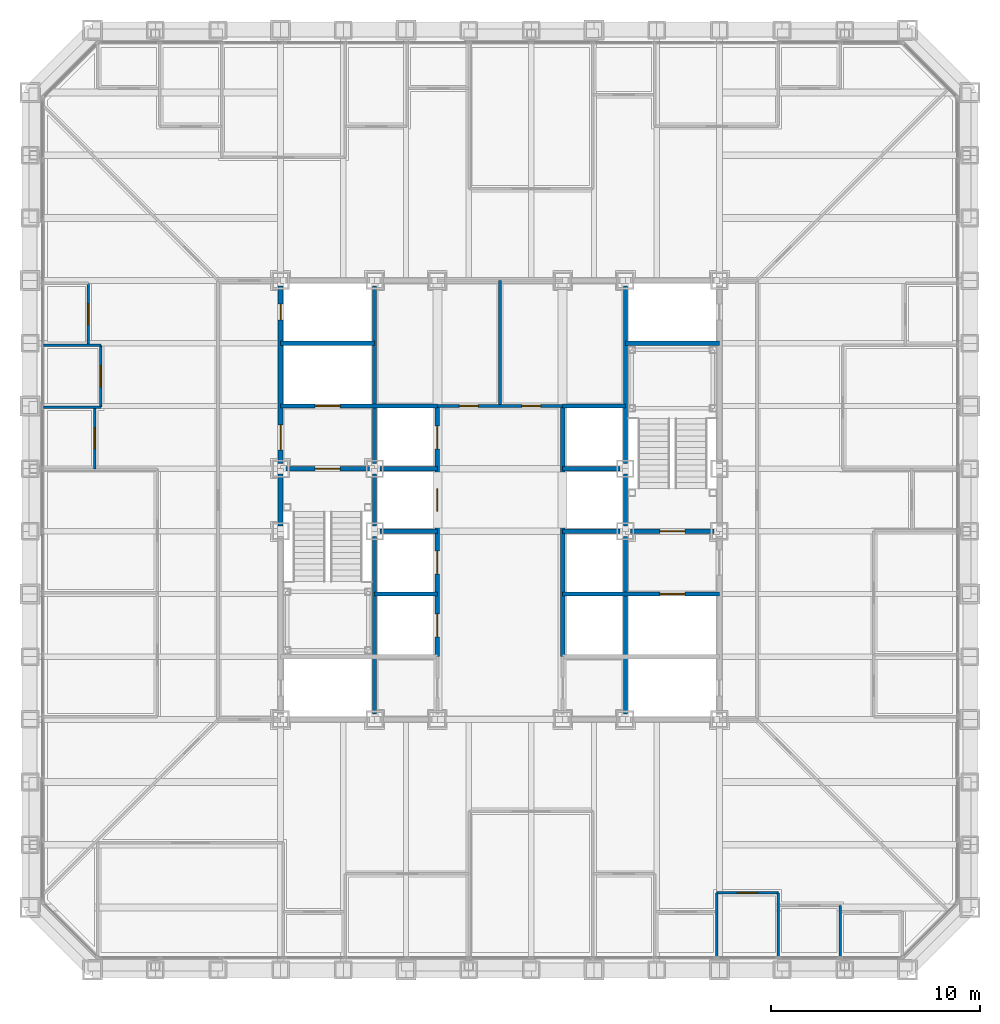
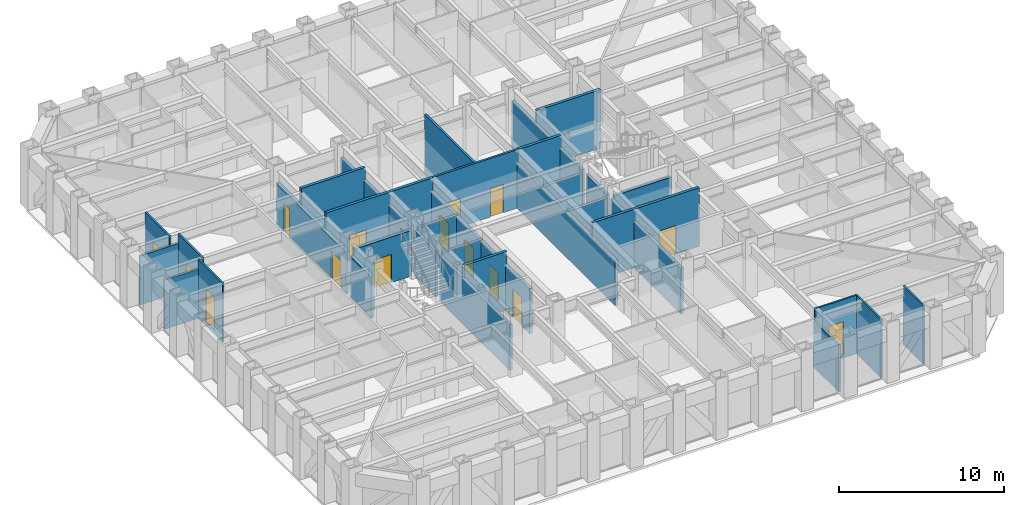
# One storey, part 9 of 17: 33 walls, 16 doors, 16 openings.
"""IFC4 building model written with IfcOpenShell, lengths in metres."""

from ifc_helpers import new_model, si_unit, direction, frame, frame_2d, origin, place, context, subcontext, project, spatial, rectangle, extrude, material, layer, layer_set, type_object, element, fill, save


model = new_model("IFC4")

# Units and contexts
model_context = context("Model", 3, precision=1e-05, world=origin(), true_north=direction((0.0, 1.0)))
body_context = subcontext(model_context, "Body", "Model", "MODEL_VIEW")
ifc_project = project(units=[si_unit("LENGTHUNIT", "METRE"), si_unit("AREAUNIT", "SQUARE_METRE"), si_unit("VOLUMEUNIT", "CUBIC_METRE"), si_unit("PLANEANGLEUNIT", "RADIAN"), si_unit("MASSUNIT", "GRAM", prefix="KILO")], contexts=[model_context])

# Site, building, storey
site_placement = place(None, origin())
site = spatial("IfcSite", under=ifc_project, at=site_placement, CompositionType="ELEMENT")
building_placement = place(site_placement, origin())
building = spatial("IfcBuilding", under=site, at=building_placement, Name="Chuquiago Exchange Tower", CompositionType="ELEMENT")
storey_placement = place(building_placement, frame((0.0, 0.0, 87.300048828125)))
storey = spatial("IfcBuildingStorey", under=building, at=storey_placement, Name="L18", CompositionType="ELEMENT", Elevation=87.300048828125)

# Wall
ifc_material_1 = material(Name="Concrete masonry, fully grouted", Category="masonry")
ifc_layer_1 = layer(ifc_material_1, 0.25)
ifc_layer_set_1 = layer_set([ifc_layer_1], Name="W1 core wall 250")
wall_type_1 = type_object("IfcWallType", Name="W1 core wall 250", PredefinedType="SOLIDWALL", material=ifc_layer_set_1)
wall_1_placement = place(storey_placement, frame((12.0, 21.25, 0.0), z_axis=(0.0, 0.0, 1.0), x_axis=(0.0, 1.0, 0.0)))
element("IfcWall", 1, at=wall_1_placement, inside=storey, type_object=wall_type_1, Name="CW-L18-00-1", PredefinedType="SOLIDWALL", context=body_context, shape_type="SweptSolid", body=[
    extrude(rectangle(XDim=2.5, YDim=0.25, at=frame_2d((1.25, 0.0))), origin(), (0.0, 0.0, 1.0), 3.11279296875),
])

# Wall, openings, doors
wall_2_placement = place(storey_placement, frame((12.0, 24.25, 0.0), z_axis=(0.0, 0.0, 1.0), x_axis=(0.0, 1.0, 0.0)))
wall_2 = element("IfcWall", 2, at=wall_2_placement, inside=storey, type_object=wall_type_1, Name="CW-L18-00-2", PredefinedType="SOLIDWALL", context=body_context, shape_type="SweptSolid", body=[
    extrude(rectangle(XDim=8.5, YDim=0.25, at=frame_2d((4.25, 0.0))), origin(), (0.0, 0.0, 1.0), 3.11279296875),
])
opening_1_placement = place(wall_2_placement, frame((0.64990234375, 0.0, 0.0)))
opening_1 = element("IfcOpeningElement", 3, at=opening_1_placement, cuts=wall_2, Name="Opening L18-002", PredefinedType="OPENING", context=body_context, shape_type="SweptSolid", body=[
    extrude(rectangle(XDim=1.199951171875, YDim=2.10009765625, at=frame_2d((0.60009765625, 1.050048828125))), frame((0.0, 0.135009765625, 0.0), z_axis=(0.0, -1.0, 0.0), x_axis=(1.0, 0.0, 0.0)), (0.0, 0.0, 1.0), 0.27001953125),
])
opening_2_placement = place(wall_2_placement, frame((6.875, 0.0, 0.0)))
opening_2 = element("IfcOpeningElement", 4, at=opening_2_placement, cuts=wall_2, Name="Opening L18-008", PredefinedType="OPENING", context=body_context, shape_type="SweptSolid", body=[
    extrude(rectangle(XDim=0.75, YDim=2.10009765625, at=frame_2d((0.375, 1.050048828125))), frame((0.0, 0.135009765625, 0.0), z_axis=(0.0, -1.0, 0.0), x_axis=(1.0, 0.0, 0.0)), (0.0, 0.0, 1.0), 0.27001953125),
])
ifc_material_2 = material(Name="Steel door, painted", Category="steel")
door_type_1 = type_object("IfcDoorType", Name="D5 firefighting lobby door 1200x2100", OperationType="SINGLE_SWING_LEFT", PredefinedType="DOOR", material=ifc_material_2)
door_1_placement = place(opening_1_placement, frame((1.199951171875, 0.0, 0.0), z_axis=(0.0, 0.0, 1.0), x_axis=(-1.0, 0.0, 0.0)))
door_1 = element("IfcDoor", 5, at=door_1_placement, inside=storey, type_object=door_type_1, Name="Firefighting lobby 1 door", OperationType="SINGLE_SWING_RIGHT", OverallHeight=2.10009765625, OverallWidth=1.199951171875, PredefinedType="DOOR", context=body_context, shape_type="SweptSolid", body=[
    extrude(rectangle(XDim=1.199951171875, YDim=2.10009765625, at=frame_2d((0.60009765625, 1.050048828125))), frame((0.0, 0.02490234375, 0.0), z_axis=(0.0, -1.0, 0.0), x_axis=(1.0, 0.0, 0.0)), (0.0, 0.0, 1.0), 0.050048828125),
])
fill(opening_1, door_1)
ifc_material_3 = material(Name="Steel door, painted", Category="steel")
door_type_2 = type_object("IfcDoorType", Name="D6 riser access door 750x2100", OperationType="SINGLE_SWING_LEFT", PredefinedType="DOOR", material=ifc_material_3)
door_2_placement = place(opening_2_placement, origin())
door_2 = element("IfcDoor", 6, at=door_2_placement, inside=storey, type_object=door_type_2, Name="Riser RW2 door", OperationType="SINGLE_SWING_RIGHT", OverallHeight=2.10009765625, OverallWidth=0.75, PredefinedType="DOOR", context=body_context, shape_type="SweptSolid", body=[
    extrude(rectangle(XDim=0.75, YDim=2.10009765625, at=frame_2d((0.375, 1.050048828125))), frame((0.0, 0.02490234375, 0.0), z_axis=(0.0, -1.0, 0.0), x_axis=(1.0, 0.0, 0.0)), (0.0, 0.0, 1.0), 0.050048828125),
])
fill(opening_2, door_2)

# Wall, opening, door
ifc_material_4 = material(Name="Concrete masonry, fully grouted", Category="masonry")
ifc_layer_2 = layer(ifc_material_4, 0.199951171875)
ifc_layer_set_2 = layer_set([ifc_layer_2], Name="W2 shaft wall 200")
wall_type_2 = type_object("IfcWallType", Name="W2 shaft wall 200", PredefinedType="SOLIDWALL", material=ifc_layer_set_2)
wall_3_placement = place(storey_placement, frame((12.25, 24.0, 0.0), z_axis=(0.0, 0.0, 1.0), x_axis=(1.0, 0.0, 0.0)))
wall_3 = element("IfcWall", 7, at=wall_3_placement, inside=storey, type_object=wall_type_2, Name="CW-L18-05-0", PredefinedType="SOLIDWALL", context=body_context, shape_type="SweptSolid", body=[
    extrude(rectangle(XDim=4.0, YDim=0.199951171875, at=frame_2d((2.0, 0.0))), origin(), (0.0, 0.0, 1.0), 3.389892578125),
])
opening_3_placement = place(wall_3_placement, frame((1.39990234375, 0.0, 0.0)))
opening_3 = element("IfcOpeningElement", 8, at=opening_3_placement, cuts=wall_3, Name="Opening L18-001", PredefinedType="OPENING", context=body_context, shape_type="SweptSolid", body=[
    extrude(rectangle(XDim=1.199951171875, YDim=2.10009765625, at=frame_2d((0.60009765625, 1.050048828125))), frame((0.0, 0.10986328125, 0.0), z_axis=(0.0, -1.0, 0.0), x_axis=(1.0, 0.0, 0.0)), (0.0, 0.0, 1.0), 0.219970703125),
])
ifc_material_5 = material(Name="Steel door, painted", Category="steel")
door_type_3 = type_object("IfcDoorType", Name="D4 stair door 1200x2100", OperationType="SINGLE_SWING_LEFT", PredefinedType="DOOR", material=ifc_material_5)
door_3_placement = place(opening_3_placement, frame((1.199951171875, 0.0, 0.0), z_axis=(0.0, 0.0, 1.0), x_axis=(-1.0, 0.0, 0.0)))
door_3 = element("IfcDoor", 9, at=door_3_placement, inside=storey, type_object=door_type_3, Name="Stair ST1 door", OperationType="SINGLE_SWING_RIGHT", OverallHeight=2.10009765625, OverallWidth=1.199951171875, PredefinedType="DOOR", context=body_context, shape_type="SweptSolid", body=[
    extrude(rectangle(XDim=1.199951171875, YDim=2.10009765625, at=frame_2d((0.60009765625, 1.050048828125))), frame((0.0, 0.02490234375, 0.0), z_axis=(0.0, -1.0, 0.0), x_axis=(1.0, 0.0, 0.0)), (0.0, 0.0, 1.0), 0.050048828125),
])
fill(opening_3, door_3)

# Walls
for number, where, z_axis, x_axis, name in (
    (10, (16.75, 24.0, 0.0), (0.0, 0.0, 1.0), (1.0, 0.0, 0.0), "CW-L18-05-1"),
    (11, (25.5, 24.0, 0.0), (0.0, 0.0, 1.0), (1.0, 0.0, 0.0), "CW-L18-06-0"),
):
    element("IfcWall", number, at=place(storey_placement, frame(where, z_axis=z_axis, x_axis=x_axis)), inside=storey, type_object=wall_type_2, Name=name, PredefinedType="SOLIDWALL", context=body_context, shape_type="SweptSolid", body=[
        extrude(rectangle(XDim=2.75, YDim=0.199951171875, at=frame_2d((1.375, 0.0))), origin(), (0.0, 0.0, 1.0), 3.389892578125),
    ])

# Wall, opening, door
wall_4_placement = place(storey_placement, frame((12.0, 27.0, 0.0), z_axis=(0.0, 0.0, 1.0), x_axis=(1.0, 0.0, 0.0)))
wall_4 = element("IfcWall", 12, at=wall_4_placement, inside=storey, type_object=wall_type_2, Name="CW-L18-07-0", PredefinedType="SOLIDWALL", context=body_context, shape_type="SweptSolid", body=[
    extrude(rectangle(XDim=7.5, YDim=0.199951171875, at=frame_2d((3.75, 0.0))), origin(), (0.0, 0.0, 1.0), 4.33984375),
])
opening_4_placement = place(wall_4_placement, frame((1.64990234375, 0.0, 0.0)))
opening_4 = element("IfcOpeningElement", 13, at=opening_4_placement, cuts=wall_4, Name="Opening L18-005", PredefinedType="OPENING", context=body_context, shape_type="SweptSolid", body=[
    extrude(rectangle(XDim=1.199951171875, YDim=2.10009765625, at=frame_2d((0.60009765625, 1.050048828125))), frame((0.0, 0.10986328125, 0.0), z_axis=(0.0, -1.0, 0.0), x_axis=(1.0, 0.0, 0.0)), (0.0, 0.0, 1.0), 0.219970703125),
])
ifc_material_6 = material(Name="Stainless steel lift landing door", Category="steel")
door_type_4 = type_object("IfcDoorType", Name="LD2 firefighting lift landing door 1200x2100", OperationType="DOUBLE_DOOR_SLIDING", PredefinedType="DOOR", material=ifc_material_6)
door_4_placement = place(opening_4_placement, origin())
door_4 = element("IfcDoor", 14, at=door_4_placement, inside=storey, type_object=door_type_4, Name="Firefighting lift FL1 landing door", OperationType="DOUBLE_DOOR_SLIDING", OverallHeight=2.10009765625, OverallWidth=1.199951171875, PredefinedType="DOOR", context=body_context, shape_type="SweptSolid", body=[
    extrude(rectangle(XDim=1.199951171875, YDim=2.10009765625, at=frame_2d((0.60009765625, 1.050048828125))), frame((0.0, 0.02490234375, 0.0), z_axis=(0.0, -1.0, 0.0), x_axis=(1.0, 0.0, 0.0)), (0.0, 0.0, 1.0), 0.050048828125),
])
fill(opening_4, door_4)

# Walls
wall_5_placement = place(storey_placement, frame((25.5, 27.0, 0.0), z_axis=(0.0, 0.0, 1.0), x_axis=(1.0, 0.0, 0.0)))
element("IfcWall", 15, at=wall_5_placement, inside=storey, type_object=wall_type_2, Name="CW-L18-08-0", PredefinedType="SOLIDWALL", context=body_context, shape_type="SweptSolid", body=[
    extrude(rectangle(XDim=3.0, YDim=0.199951171875, at=frame_2d((1.5, 0.0))), origin(), (0.0, 0.0, 1.0), 4.33984375),
])
for number, where, z_axis, x_axis, name in (
    (16, (12.0, 30.0, 0.0), (0.0, 0.0, 1.0), (1.0, 0.0, 0.0), "CW-L18-09-0"),
    (17, (28.5, 30.0, 0.0), (0.0, 0.0, 1.0), (1.0, 0.0, 0.0), "CW-L18-10-0"),
):
    element("IfcWall", number, at=place(storey_placement, frame(where, z_axis=z_axis, x_axis=x_axis)), inside=storey, type_object=wall_type_2, Name=name, PredefinedType="SOLIDWALL", context=body_context, shape_type="SweptSolid", body=[
        extrude(rectangle(XDim=4.5, YDim=0.199951171875, at=frame_2d((2.25, 0.0))), origin(), (0.0, 0.0, 1.0), 4.33984375),
    ])
wall_6_placement = place(storey_placement, frame((16.5, 12.25, 0.0), z_axis=(0.0, 0.0, 1.0), x_axis=(0.0, 1.0, 0.0)))
element("IfcWall", 18, at=wall_6_placement, inside=storey, type_object=wall_type_2, Name="CW-L18-13-0", PredefinedType="SOLIDWALL", context=body_context, shape_type="SweptSolid", body=[
    extrude(rectangle(XDim=8.5, YDim=0.199951171875, at=frame_2d((4.25, 0.0))), origin(), (0.0, 0.0, 1.0), 3.412841796875),
])
wall_7_placement = place(storey_placement, frame((16.5, 21.25, 0.0), z_axis=(0.0, 0.0, 1.0), x_axis=(0.0, 1.0, 0.0)))
element("IfcWall", 19, at=wall_7_placement, inside=storey, type_object=wall_type_2, Name="CW-L18-13-1", PredefinedType="SOLIDWALL", context=body_context, shape_type="SweptSolid", body=[
    extrude(rectangle(XDim=2.5, YDim=0.199951171875, at=frame_2d((1.25, 0.0))), origin(), (0.0, 0.0, 1.0), 3.412841796875),
])
wall_8_placement = place(storey_placement, frame((16.5, 24.25, 0.0), z_axis=(0.0, 0.0, 1.0), x_axis=(0.0, 1.0, 0.0)))
element("IfcWall", 20, at=wall_8_placement, inside=storey, type_object=wall_type_2, Name="CW-L18-13-2", PredefinedType="SOLIDWALL", context=body_context, shape_type="SweptSolid", body=[
    extrude(rectangle(XDim=8.5, YDim=0.199951171875, at=frame_2d((4.25, 0.0))), origin(), (0.0, 0.0, 1.0), 3.412841796875),
])
wall_9_placement = place(storey_placement, frame((16.5, 18.0, 0.0), z_axis=(0.0, 0.0, 1.0), x_axis=(1.0, 0.0, 0.0)))
element("IfcWall", 21, at=wall_9_placement, inside=storey, type_object=wall_type_2, Name="CW-L18-14-0", PredefinedType="SOLIDWALL", context=body_context, shape_type="SweptSolid", body=[
    extrude(rectangle(XDim=3.0, YDim=0.199951171875, at=frame_2d((1.5, 0.0))), origin(), (0.0, 0.0, 1.0), 4.33984375),
])

# Wall, opening, door
wall_10_placement = place(storey_placement, frame((25.5, 18.0, 0.0), z_axis=(0.0, 0.0, 1.0), x_axis=(1.0, 0.0, 0.0)))
wall_10 = element("IfcWall", 22, at=wall_10_placement, inside=storey, type_object=wall_type_2, Name="CW-L18-15-0", PredefinedType="SOLIDWALL", context=body_context, shape_type="SweptSolid", body=[
    extrude(rectangle(XDim=7.5, YDim=0.199951171875, at=frame_2d((3.75, 0.0))), origin(), (0.0, 0.0, 1.0), 4.33984375),
])
opening_5_placement = place(wall_10_placement, frame((4.64990234375, 0.0, 0.0)))
opening_5 = element("IfcOpeningElement", 23, at=opening_5_placement, cuts=wall_10, Name="Opening L18-006", PredefinedType="OPENING", context=body_context, shape_type="SweptSolid", body=[
    extrude(rectangle(XDim=1.199951171875, YDim=2.10009765625, at=frame_2d((0.60009765625, 1.050048828125))), frame((0.0, 0.10986328125, 0.0), z_axis=(0.0, -1.0, 0.0), x_axis=(1.0, 0.0, 0.0)), (0.0, 0.0, 1.0), 0.219970703125),
])
door_5_placement = place(opening_5_placement, origin())
door_5 = element("IfcDoor", 24, at=door_5_placement, inside=storey, type_object=door_type_4, Name="Firefighting lift FL2 landing door", OperationType="DOUBLE_DOOR_SLIDING", OverallHeight=2.10009765625, OverallWidth=1.199951171875, PredefinedType="DOOR", context=body_context, shape_type="SweptSolid", body=[
    extrude(rectangle(XDim=1.199951171875, YDim=2.10009765625, at=frame_2d((0.60009765625, 1.050048828125))), frame((0.0, 0.02490234375, 0.0), z_axis=(0.0, -1.0, 0.0), x_axis=(1.0, 0.0, 0.0)), (0.0, 0.0, 1.0), 0.050048828125),
])
fill(opening_5, door_5)

# Walls
for number, where, z_axis, x_axis, name in (
    (25, (16.75, 21.0, 0.0), (0.0, 0.0, 1.0), (1.0, 0.0, 0.0), "CW-L18-16-0"),
    (26, (25.5, 21.0, 0.0), (0.0, 0.0, 1.0), (1.0, 0.0, 0.0), "CW-L18-17-0"),
):
    element("IfcWall", number, at=place(storey_placement, frame(where, z_axis=z_axis, x_axis=x_axis)), inside=storey, type_object=wall_type_2, Name=name, PredefinedType="SOLIDWALL", context=body_context, shape_type="SweptSolid", body=[
        extrude(rectangle(XDim=2.75, YDim=0.199951171875, at=frame_2d((1.375, 0.0))), origin(), (0.0, 0.0, 1.0), 3.389892578125),
    ])

# Wall, opening, door
wall_11_placement = place(storey_placement, frame((28.75, 21.0, 0.0), z_axis=(0.0, 0.0, 1.0), x_axis=(1.0, 0.0, 0.0)))
wall_11 = element("IfcWall", 27, at=wall_11_placement, inside=storey, type_object=wall_type_2, Name="CW-L18-17-1", PredefinedType="SOLIDWALL", context=body_context, shape_type="SweptSolid", body=[
    extrude(rectangle(XDim=4.0, YDim=0.199951171875, at=frame_2d((2.0, 0.0))), origin(), (0.0, 0.0, 1.0), 3.389892578125),
])
opening_6_placement = place(wall_11_placement, frame((1.39990234375, 0.0, 0.0)))
opening_6 = element("IfcOpeningElement", 28, at=opening_6_placement, cuts=wall_11, Name="Opening L18-003", PredefinedType="OPENING", context=body_context, shape_type="SweptSolid", body=[
    extrude(rectangle(XDim=1.199951171875, YDim=2.10009765625, at=frame_2d((0.60009765625, 1.050048828125))), frame((0.0, 0.10986328125, 0.0), z_axis=(0.0, -1.0, 0.0), x_axis=(1.0, 0.0, 0.0)), (0.0, 0.0, 1.0), 0.219970703125),
])
door_6_placement = place(opening_6_placement, origin())
door_6 = element("IfcDoor", 29, at=door_6_placement, inside=storey, type_object=door_type_3, Name="Stair ST2 door", OperationType="SINGLE_SWING_LEFT", OverallHeight=2.10009765625, OverallWidth=1.199951171875, PredefinedType="DOOR", context=body_context, shape_type="SweptSolid", body=[
    extrude(rectangle(XDim=1.199951171875, YDim=2.10009765625, at=frame_2d((0.60009765625, 1.050048828125))), frame((0.0, 0.02490234375, 0.0), z_axis=(0.0, -1.0, 0.0), x_axis=(1.0, 0.0, 0.0)), (0.0, 0.0, 1.0), 0.050048828125),
])
fill(opening_6, door_6)

# Wall, openings, doors
wall_12_placement = place(storey_placement, frame((19.5, 15.0, 0.0), z_axis=(0.0, 0.0, 1.0), x_axis=(0.0, 1.0, 0.0)))
wall_12 = element("IfcWall", 30, at=wall_12_placement, inside=storey, type_object=wall_type_2, Name="CW-L18-19-0", PredefinedType="SOLIDWALL", context=body_context, shape_type="SweptSolid", body=[
    extrude(rectangle(XDim=12.0, YDim=0.199951171875, at=frame_2d((6.0, 0.0))), origin(), (0.0, 0.0, 1.0), 3.364501953125),
])
opening_7_placement = place(wall_12_placement, frame((0.949951171875, 0.0, 0.0)))
opening_7 = element("IfcOpeningElement", 31, at=opening_7_placement, cuts=wall_12, Name="Opening L18-015", PredefinedType="OPENING", context=body_context, shape_type="SweptSolid", body=[
    extrude(rectangle(XDim=1.10009765625, YDim=2.10009765625, at=frame_2d((0.550048828125, 1.050048828125))), frame((0.0, 0.10986328125, 0.0), z_axis=(0.0, -1.0, 0.0), x_axis=(1.0, 0.0, 0.0)), (0.0, 0.0, 1.0), 0.219970703125),
])
opening_8_placement = place(wall_12_placement, frame((3.949951171875, 0.0, 0.0)))
opening_8 = element("IfcOpeningElement", 32, at=opening_8_placement, cuts=wall_12, Name="Opening L18-016", PredefinedType="OPENING", context=body_context, shape_type="SweptSolid", body=[
    extrude(rectangle(XDim=1.10009765625, YDim=2.10009765625, at=frame_2d((0.550048828125, 1.050048828125))), frame((0.0, 0.10986328125, 0.0), z_axis=(0.0, -1.0, 0.0), x_axis=(1.0, 0.0, 0.0)), (0.0, 0.0, 1.0), 0.219970703125),
])
opening_9_placement = place(wall_12_placement, frame((6.949951171875, 0.0, 0.0)))
opening_9 = element("IfcOpeningElement", 33, at=opening_9_placement, cuts=wall_12, Name="Opening L18-017", PredefinedType="OPENING", context=body_context, shape_type="SweptSolid", body=[
    extrude(rectangle(XDim=1.10009765625, YDim=2.10009765625, at=frame_2d((0.550048828125, 1.050048828125))), frame((0.0, 0.10986328125, 0.0), z_axis=(0.0, -1.0, 0.0), x_axis=(1.0, 0.0, 0.0)), (0.0, 0.0, 1.0), 0.219970703125),
])
opening_10_placement = place(wall_12_placement, frame((9.949951171875, 0.0, 0.0)))
opening_10 = element("IfcOpeningElement", 34, at=opening_10_placement, cuts=wall_12, Name="Opening L18-018", PredefinedType="OPENING", context=body_context, shape_type="SweptSolid", body=[
    extrude(rectangle(XDim=1.10009765625, YDim=2.10009765625, at=frame_2d((0.550048828125, 1.050048828125))), frame((0.0, 0.10986328125, 0.0), z_axis=(0.0, -1.0, 0.0), x_axis=(1.0, 0.0, 0.0)), (0.0, 0.0, 1.0), 0.219970703125),
])
ifc_material_7 = material(Name="Stainless steel lift landing door", Category="steel")
door_type_5 = type_object("IfcDoorType", Name="LD1 lift landing door 1100x2100", OperationType="DOUBLE_DOOR_SLIDING", PredefinedType="DOOR", material=ifc_material_7)
door_7_placement = place(opening_7_placement, origin())
door_7 = element("IfcDoor", 35, at=door_7_placement, inside=storey, type_object=door_type_5, Name="Lift LA1 landing door", OperationType="DOUBLE_DOOR_SLIDING", OverallHeight=2.10009765625, OverallWidth=1.10009765625, PredefinedType="DOOR", context=body_context, shape_type="SweptSolid", body=[
    extrude(rectangle(XDim=1.10009765625, YDim=2.10009765625, at=frame_2d((0.550048828125, 1.050048828125))), frame((0.0, 0.02490234375, 0.0), z_axis=(0.0, -1.0, 0.0), x_axis=(1.0, 0.0, 0.0)), (0.0, 0.0, 1.0), 0.050048828125),
])
fill(opening_7, door_7)
door_8_placement = place(opening_8_placement, origin())
door_8 = element("IfcDoor", 36, at=door_8_placement, inside=storey, type_object=door_type_5, Name="Lift LA2 landing door", OperationType="DOUBLE_DOOR_SLIDING", OverallHeight=2.10009765625, OverallWidth=1.10009765625, PredefinedType="DOOR", context=body_context, shape_type="SweptSolid", body=[
    extrude(rectangle(XDim=1.10009765625, YDim=2.10009765625, at=frame_2d((0.550048828125, 1.050048828125))), frame((0.0, 0.02490234375, 0.0), z_axis=(0.0, -1.0, 0.0), x_axis=(1.0, 0.0, 0.0)), (0.0, 0.0, 1.0), 0.050048828125),
])
fill(opening_8, door_8)
door_9_placement = place(opening_9_placement, origin())
door_9 = element("IfcDoor", 37, at=door_9_placement, inside=storey, type_object=door_type_5, Name="Lift LA3 landing door", OperationType="DOUBLE_DOOR_SLIDING", OverallHeight=2.10009765625, OverallWidth=1.10009765625, PredefinedType="DOOR", context=body_context, shape_type="SweptSolid", body=[
    extrude(rectangle(XDim=1.10009765625, YDim=2.10009765625, at=frame_2d((0.550048828125, 1.050048828125))), frame((0.0, 0.02490234375, 0.0), z_axis=(0.0, -1.0, 0.0), x_axis=(1.0, 0.0, 0.0)), (0.0, 0.0, 1.0), 0.050048828125),
])
fill(opening_9, door_9)
door_10_placement = place(opening_10_placement, origin())
door_10 = element("IfcDoor", 38, at=door_10_placement, inside=storey, type_object=door_type_5, Name="Lift LA4 landing door", OperationType="DOUBLE_DOOR_SLIDING", OverallHeight=2.10009765625, OverallWidth=1.10009765625, PredefinedType="DOOR", context=body_context, shape_type="SweptSolid", body=[
    extrude(rectangle(XDim=1.10009765625, YDim=2.10009765625, at=frame_2d((0.550048828125, 1.050048828125))), frame((0.0, 0.02490234375, 0.0), z_axis=(0.0, -1.0, 0.0), x_axis=(1.0, 0.0, 0.0)), (0.0, 0.0, 1.0), 0.050048828125),
])
fill(opening_10, door_10)

# Walls
wall_13_placement = place(storey_placement, frame((25.5, 15.0, 0.0), z_axis=(0.0, 0.0, 1.0), x_axis=(0.0, 1.0, 0.0)))
element("IfcWall", 39, at=wall_13_placement, inside=storey, type_object=wall_type_2, Name="CW-L18-22-0", PredefinedType="SOLIDWALL", context=body_context, shape_type="SweptSolid", body=[
    extrude(rectangle(XDim=12.0, YDim=0.199951171875, at=frame_2d((6.0, 0.0))), origin(), (0.0, 0.0, 1.0), 3.364501953125),
])
wall_14_placement = place(storey_placement, frame((28.5, 12.25, 0.0), z_axis=(0.0, 0.0, 1.0), x_axis=(0.0, 1.0, 0.0)))
element("IfcWall", 40, at=wall_14_placement, inside=storey, type_object=wall_type_2, Name="CW-L18-24-0", PredefinedType="SOLIDWALL", context=body_context, shape_type="SweptSolid", body=[
    extrude(rectangle(XDim=8.5, YDim=0.199951171875, at=frame_2d((4.25, 0.0))), origin(), (0.0, 0.0, 1.0), 3.412841796875),
])
wall_15_placement = place(storey_placement, frame((28.5, 21.25, 0.0), z_axis=(0.0, 0.0, 1.0), x_axis=(0.0, 1.0, 0.0)))
element("IfcWall", 41, at=wall_15_placement, inside=storey, type_object=wall_type_2, Name="CW-L18-24-1", PredefinedType="SOLIDWALL", context=body_context, shape_type="SweptSolid", body=[
    extrude(rectangle(XDim=2.5, YDim=0.199951171875, at=frame_2d((1.25, 0.0))), origin(), (0.0, 0.0, 1.0), 3.412841796875),
])
wall_16_placement = place(storey_placement, frame((28.5, 24.25, 0.0), z_axis=(0.0, 0.0, 1.0), x_axis=(0.0, 1.0, 0.0)))
element("IfcWall", 42, at=wall_16_placement, inside=storey, type_object=wall_type_2, Name="CW-L18-24-2", PredefinedType="SOLIDWALL", context=body_context, shape_type="SweptSolid", body=[
    extrude(rectangle(XDim=8.5, YDim=0.199951171875, at=frame_2d((4.25, 0.0))), origin(), (0.0, 0.0, 1.0), 3.412841796875),
])

# Wall, openings, doors
ifc_material_8 = material(Name="Gypsum board on steel studs", Category="steel")
ifc_layer_3 = layer(ifc_material_8, 0.14990234375)
ifc_layer_set_3 = layer_set([ifc_layer_3], Name="W3 core partition 150")
wall_type_3 = type_object("IfcWallType", Name="W3 core partition 150", PredefinedType="PARTITIONING", material=ifc_layer_set_3)
wall_17_placement = place(storey_placement, frame((19.5, 27.0, 0.0), z_axis=(0.0, 0.0, 1.0), x_axis=(1.0, 0.0, 0.0)))
wall_17 = element("IfcWall", 43, at=wall_17_placement, inside=storey, type_object=wall_type_3, Name="CW-L18-TF", PredefinedType="PARTITIONING", context=body_context, shape_type="SweptSolid", body=[
    extrude(rectangle(XDim=6.0, YDim=0.14990234375, at=frame_2d((3.0, 0.0))), origin(), (0.0, 0.0, 1.0), 4.33984375),
])
opening_11_placement = place(wall_17_placement, frame((1.050048828125, 0.0, 0.0)))
opening_11 = element("IfcOpeningElement", 44, at=opening_11_placement, cuts=wall_17, Name="Opening L18-011", PredefinedType="OPENING", context=body_context, shape_type="SweptSolid", body=[
    extrude(rectangle(XDim=0.89990234375, YDim=2.10009765625, at=frame_2d((0.449951171875, 1.050048828125))), frame((0.0, 0.0849609375, 0.0), z_axis=(0.0, -1.0, 0.0), x_axis=(1.0, 0.0, 0.0)), (0.0, 0.0, 1.0), 0.169921875),
])
opening_12_placement = place(wall_17_placement, frame((4.050048828125, 0.0, 0.0)))
opening_12 = element("IfcOpeningElement", 45, at=opening_12_placement, cuts=wall_17, Name="Opening L18-012", PredefinedType="OPENING", context=body_context, shape_type="SweptSolid", body=[
    extrude(rectangle(XDim=0.89990234375, YDim=2.10009765625, at=frame_2d((0.449951171875, 1.050048828125))), frame((0.0, 0.0849609375, 0.0), z_axis=(0.0, -1.0, 0.0), x_axis=(1.0, 0.0, 0.0)), (0.0, 0.0, 1.0), 0.169921875),
])
ifc_material_9 = material(Name="Timber door, laminate faced", Category="wood")
door_type_6 = type_object("IfcDoorType", Name="D7 toilet door 900x2100", OperationType="SINGLE_SWING_LEFT", PredefinedType="DOOR", material=ifc_material_9)
door_11_placement = place(opening_11_placement, origin())
door_11 = element("IfcDoor", 46, at=door_11_placement, inside=storey, type_object=door_type_6, Name="Male WC door", OperationType="SINGLE_SWING_RIGHT", OverallHeight=2.10009765625, OverallWidth=0.89990234375, PredefinedType="DOOR", context=body_context, shape_type="SweptSolid", body=[
    extrude(rectangle(XDim=0.89990234375, YDim=2.10009765625, at=frame_2d((0.449951171875, 1.050048828125))), frame((0.0, 0.02490234375, 0.0), z_axis=(0.0, -1.0, 0.0), x_axis=(1.0, 0.0, 0.0)), (0.0, 0.0, 1.0), 0.050048828125),
])
fill(opening_11, door_11)
door_12_placement = place(opening_12_placement, origin())
door_12 = element("IfcDoor", 47, at=door_12_placement, inside=storey, type_object=door_type_6, Name="Female WC door", OperationType="SINGLE_SWING_LEFT", OverallHeight=2.10009765625, OverallWidth=0.89990234375, PredefinedType="DOOR", context=body_context, shape_type="SweptSolid", body=[
    extrude(rectangle(XDim=0.89990234375, YDim=2.10009765625, at=frame_2d((0.449951171875, 1.050048828125))), frame((0.0, 0.02490234375, 0.0), z_axis=(0.0, -1.0, 0.0), x_axis=(1.0, 0.0, 0.0)), (0.0, 0.0, 1.0), 0.050048828125),
])
fill(opening_12, door_12)

# Walls
wall_18_placement = place(storey_placement, frame((22.5, 27.0, 0.0), z_axis=(0.0, 0.0, 1.0), x_axis=(0.0, 1.0, 0.0)))
element("IfcWall", 48, at=wall_18_placement, inside=storey, type_object=wall_type_3, Name="CW-L18-TM", PredefinedType="PARTITIONING", context=body_context, shape_type="SweptSolid", body=[
    extrude(rectangle(XDim=6.0, YDim=0.14990234375, at=frame_2d((3.0, 0.0))), origin(), (0.0, 0.0, 1.0), 4.33984375),
])
ifc_material_10 = material(Name="Gypsum board on steel studs", Category="steel")
ifc_layer_4 = layer(ifc_material_10, 0.1201171875)
ifc_layer_set_4 = layer_set([ifc_layer_4], Name="W4 partition 120")
wall_type_4 = type_object("IfcWallType", Name="W4 partition 120", PredefinedType="PARTITIONING", material=ifc_layer_set_4)
wall_19_placement = place(storey_placement, frame((32.8662109375, 0.657470703125, -0.300048828125), z_axis=(0.0, 0.0, 1.0), x_axis=(0.0, 1.0, 0.0)))
element("IfcWall", 49, at=wall_19_placement, inside=storey, type_object=wall_type_4, Name="PW-L18-S03287", PredefinedType="PARTITIONING", context=body_context, shape_type="SweptSolid", body=[
    extrude(rectangle(XDim=3.04248046875, YDim=0.1201171875, at=frame_2d((1.521240234375, 0.0))), origin(), (0.0, 0.0, 1.0), 3.4814453125),
])
wall_20_placement = place(storey_placement, frame((35.827880859375, 0.657470703125, -0.300048828125), z_axis=(0.0, 0.0, 1.0), x_axis=(0.0, 1.0, 0.0)))
element("IfcWall", 50, at=wall_20_placement, inside=storey, type_object=wall_type_4, Name="PW-L18-S03583", PredefinedType="PARTITIONING", context=body_context, shape_type="SweptSolid", body=[
    extrude(rectangle(XDim=3.04248046875, YDim=0.1201171875, at=frame_2d((1.521240234375, 0.0))), origin(), (0.0, 0.0, 1.0), 4.340087890625),
])
wall_21_placement = place(storey_placement, frame((38.789794921875, 0.657470703125, -0.300048828125), z_axis=(0.0, 0.0, 1.0), x_axis=(0.0, 1.0, 0.0)))
element("IfcWall", 51, at=wall_21_placement, inside=storey, type_object=wall_type_4, Name="PW-L18-S03879", PredefinedType="PARTITIONING", context=body_context, shape_type="SweptSolid", body=[
    extrude(rectangle(XDim=2.442626953125, YDim=0.1201171875, at=frame_2d((1.22119140625, 0.0))), origin(), (0.0, 0.0, 1.0), 4.340087890625),
])

# Wall, opening, door
wall_22_placement = place(storey_placement, frame((32.8662109375, 3.699951171875, -0.300048828125), z_axis=(0.0, 0.0, 1.0), x_axis=(1.0, 0.0, 0.0)))
wall_22 = element("IfcWall", 52, at=wall_22_placement, inside=storey, type_object=wall_type_4, Name="PW-L18-SF03287", PredefinedType="PARTITIONING", context=body_context, shape_type="SweptSolid", body=[
    extrude(rectangle(XDim=2.961669921875, YDim=0.1201171875, at=frame_2d((1.48095703125, 0.0))), origin(), (0.0, 0.0, 1.0), 4.340087890625),
])
opening_13_placement = place(wall_22_placement, frame((0.98095703125, 0.0, 0.300048828125)))
opening_13 = element("IfcOpeningElement", 53, at=opening_13_placement, cuts=wall_22, Name="Opening L18-025", PredefinedType="OPENING", context=body_context, shape_type="SweptSolid", body=[
    extrude(rectangle(XDim=1.0, YDim=2.39990234375, at=frame_2d((0.5, 1.199951171875))), frame((0.0, 0.070068359375, 0.0), z_axis=(0.0, -1.0, 0.0), x_axis=(1.0, 0.0, 0.0)), (0.0, 0.0, 1.0), 0.14013671875),
])
ifc_material_11 = material(Name="Timber door, laminate faced", Category="wood")
door_type_7 = type_object("IfcDoorType", Name="D9 room door 1000x2400", OperationType="SINGLE_SWING_LEFT", PredefinedType="DOOR", material=ifc_material_11)
door_13_placement = place(opening_13_placement, frame((1.0, 0.0, 0.0), z_axis=(0.0, 0.0, 1.0), x_axis=(-1.0, 0.0, 0.0)))
door_13 = element("IfcDoor", 54, at=door_13_placement, inside=storey, type_object=door_type_7, Name="Comms room door", OperationType="SINGLE_SWING_LEFT", OverallHeight=2.39990234375, OverallWidth=1.0, PredefinedType="DOOR", context=body_context, shape_type="SweptSolid", body=[
    extrude(rectangle(XDim=1.0, YDim=2.39990234375, at=frame_2d((0.5, 1.199951171875))), frame((0.0, 0.02490234375, 0.0), z_axis=(0.0, -1.0, 0.0), x_axis=(1.0, 0.0, 0.0)), (0.0, 0.0, 1.0), 0.050048828125),
])
fill(opening_13, door_13)

# Walls
for number, where, z_axis, x_axis, name in (
    (55, (0.657470703125, 26.942626953125, -0.300048828125), (0.0, 0.0, 1.0), (1.0, 0.0, 0.0), "PW-L18-W02694"),
    (56, (0.657470703125, 29.904296875, -0.300048828125), (0.0, 0.0, 1.0), (1.0, 0.0, 0.0), "PW-L18-W02990"),
):
    element("IfcWall", number, at=place(storey_placement, frame(where, z_axis=z_axis, x_axis=x_axis)), inside=storey, type_object=wall_type_4, Name=name, PredefinedType="PARTITIONING", context=body_context, shape_type="SweptSolid", body=[
        extrude(rectangle(XDim=2.742431640625, YDim=0.1201171875, at=frame_2d((1.37109375, 0.0))), origin(), (0.0, 0.0, 1.0), 3.646484375),
    ])

# Wall, opening, door
wall_23_placement = place(storey_placement, frame((3.10009765625, 23.98095703125, -0.300048828125), z_axis=(0.0, 0.0, 1.0), x_axis=(0.0, 1.0, 0.0)))
wall_23 = element("IfcWall", 57, at=wall_23_placement, inside=storey, type_object=wall_type_4, Name="PW-L18-WF02398", PredefinedType="PARTITIONING", context=body_context, shape_type="SweptSolid", body=[
    extrude(rectangle(XDim=2.961669921875, YDim=0.1201171875, at=frame_2d((1.48095703125, 0.0))), origin(), (0.0, 0.0, 1.0), 4.340087890625),
])
opening_14_placement = place(wall_23_placement, frame((0.98095703125, 0.0, 0.300048828125)))
opening_14 = element("IfcOpeningElement", 58, at=opening_14_placement, cuts=wall_23, Name="Opening L18-044", PredefinedType="OPENING", context=body_context, shape_type="SweptSolid", body=[
    extrude(rectangle(XDim=1.0, YDim=2.39990234375, at=frame_2d((0.5, 1.199951171875))), frame((0.0, 0.070068359375, 0.0), z_axis=(0.0, -1.0, 0.0), x_axis=(1.0, 0.0, 0.0)), (0.0, 0.0, 1.0), 0.14013671875),
])
door_14_placement = place(opening_14_placement, origin())
door_14 = element("IfcDoor", 59, at=door_14_placement, inside=storey, type_object=door_type_7, Name="Store door", OperationType="SINGLE_SWING_RIGHT", OverallHeight=2.39990234375, OverallWidth=1.0, PredefinedType="DOOR", context=body_context, shape_type="SweptSolid", body=[
    extrude(rectangle(XDim=1.0, YDim=2.39990234375, at=frame_2d((0.5, 1.199951171875))), frame((0.0, 0.02490234375, 0.0), z_axis=(0.0, -1.0, 0.0), x_axis=(1.0, 0.0, 0.0)), (0.0, 0.0, 1.0), 0.050048828125),
])
fill(opening_14, door_14)

wall_24_placement = place(storey_placement, frame((3.39990234375, 26.942626953125, -0.300048828125), z_axis=(0.0, 0.0, 1.0), x_axis=(0.0, 1.0, 0.0)))
wall_24 = element("IfcWall", 60, at=wall_24_placement, inside=storey, type_object=wall_type_4, Name="PW-L18-WF02694", PredefinedType="PARTITIONING", context=body_context, shape_type="SweptSolid", body=[
    extrude(rectangle(XDim=2.961669921875, YDim=0.1201171875, at=frame_2d((1.48095703125, 0.0))), origin(), (0.0, 0.0, 1.0), 4.340087890625),
])
opening_15_placement = place(wall_24_placement, frame((0.98095703125, 0.0, 0.300048828125)))
opening_15 = element("IfcOpeningElement", 61, at=opening_15_placement, cuts=wall_24, Name="Opening L18-045", PredefinedType="OPENING", context=body_context, shape_type="SweptSolid", body=[
    extrude(rectangle(XDim=1.0, YDim=2.39990234375, at=frame_2d((0.5, 1.199951171875))), frame((0.0, 0.070068359375, 0.0), z_axis=(0.0, -1.0, 0.0), x_axis=(1.0, 0.0, 0.0)), (0.0, 0.0, 1.0), 0.14013671875),
])
door_15_placement = place(opening_15_placement, origin())
door_15 = element("IfcDoor", 62, at=door_15_placement, inside=storey, type_object=door_type_7, Name="Pantry door", OperationType="SINGLE_SWING_LEFT", OverallHeight=2.39990234375, OverallWidth=1.0, PredefinedType="DOOR", context=body_context, shape_type="SweptSolid", body=[
    extrude(rectangle(XDim=1.0, YDim=2.39990234375, at=frame_2d((0.5, 1.199951171875))), frame((0.0, 0.02490234375, 0.0), z_axis=(0.0, -1.0, 0.0), x_axis=(1.0, 0.0, 0.0)), (0.0, 0.0, 1.0), 0.050048828125),
])
fill(opening_15, door_15)

wall_25_placement = place(storey_placement, frame((2.800048828125, 29.904296875, -0.300048828125), z_axis=(0.0, 0.0, 1.0), x_axis=(0.0, 1.0, 0.0)))
wall_25 = element("IfcWall", 63, at=wall_25_placement, inside=storey, type_object=wall_type_4, Name="PW-L18-WF02990", PredefinedType="PARTITIONING", context=body_context, shape_type="SweptSolid", body=[
    extrude(rectangle(XDim=2.9619140625, YDim=0.1201171875, at=frame_2d((1.48095703125, 0.0))), origin(), (0.0, 0.0, 1.0), 4.340087890625),
])
opening_16_placement = place(wall_25_placement, frame((0.98095703125, 0.0, 0.300048828125)))
opening_16 = element("IfcOpeningElement", 64, at=opening_16_placement, cuts=wall_25, Name="Opening L18-046", PredefinedType="OPENING", context=body_context, shape_type="SweptSolid", body=[
    extrude(rectangle(XDim=1.0, YDim=2.39990234375, at=frame_2d((0.5, 1.199951171875))), frame((0.0, 0.070068359375, 0.0), z_axis=(0.0, -1.0, 0.0), x_axis=(1.0, 0.0, 0.0)), (0.0, 0.0, 1.0), 0.14013671875),
])
ifc_material_12 = material(Name="Timber frame door, full height glazed panel", Category="wood")
door_type_8 = type_object("IfcDoorType", Name="D14 glazed meeting room door 1000x2400", OperationType="SINGLE_SWING_LEFT", PredefinedType="DOOR", material=ifc_material_12)
door_16_placement = place(opening_16_placement, origin())
door_16 = element("IfcDoor", 65, at=door_16_placement, inside=storey, type_object=door_type_8, Name="Focus room door", OperationType="SINGLE_SWING_LEFT", OverallHeight=2.39990234375, OverallWidth=1.0, PredefinedType="DOOR", context=body_context, shape_type="SweptSolid", body=[
    extrude(rectangle(XDim=1.0, YDim=2.39990234375, at=frame_2d((0.5, 1.199951171875))), frame((0.0, 0.02490234375, 0.0), z_axis=(0.0, -1.0, 0.0), x_axis=(1.0, 0.0, 0.0)), (0.0, 0.0, 1.0), 0.050048828125),
])
fill(opening_16, door_16)

save(model, "model.ifc")
